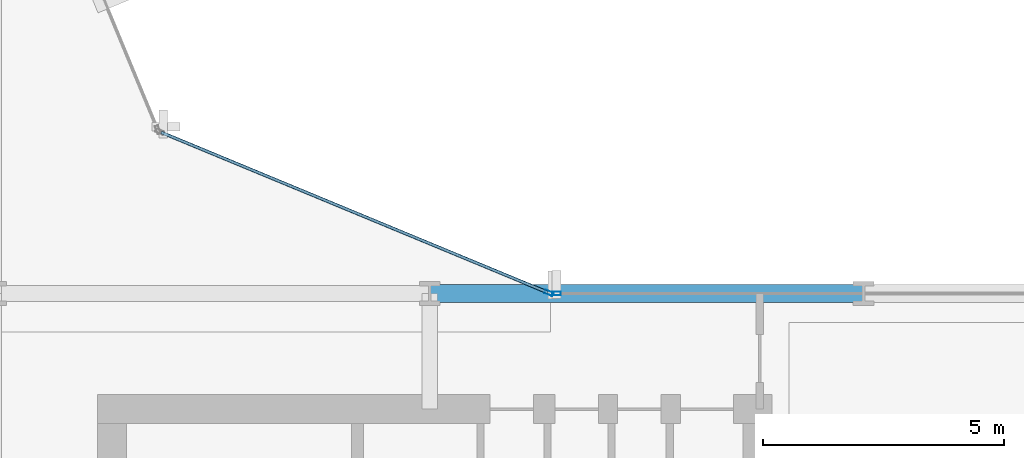
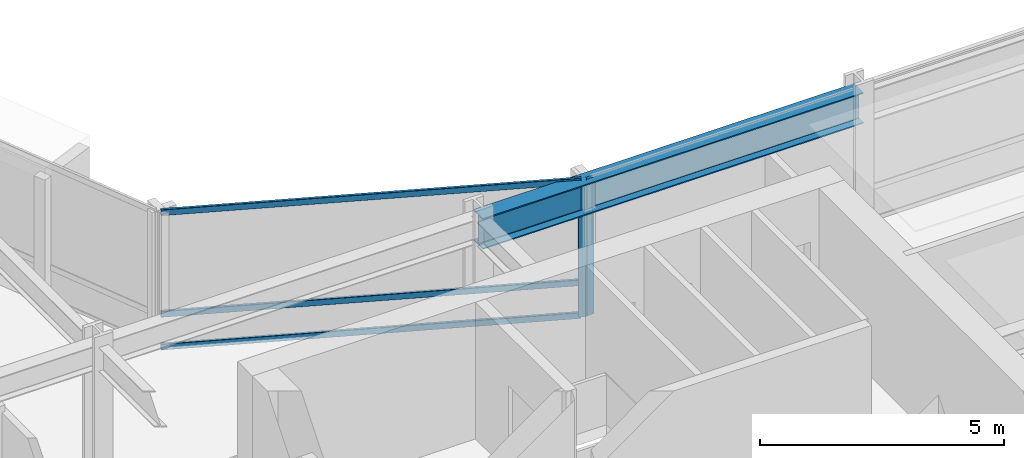
# One storey, part 15 of 34: 5 members, 1 beam, 2 elements without a shape of their own.
"""IFC4 building model written with IfcOpenShell, lengths in metres."""

from ifc_helpers import new_model, si_unit, direction, frame, origin, origin_2d, place, context, subcontext, project, spatial, hollow_rectangle, i_section, extrude, material, layer, layer_set, material_profile, profile_set, type_object, element, aggregate, save


model = new_model("IFC4")

# Units and contexts
model_context = context("Model", 3, precision=1e-05, world=origin(), true_north=direction((0.0, 1.0)))
body_context = subcontext(model_context, "Body", "Model", "MODEL_VIEW")
ifc_project = project(units=[si_unit("LENGTHUNIT", "METRE"), si_unit("AREAUNIT", "SQUARE_METRE"), si_unit("VOLUMEUNIT", "CUBIC_METRE"), si_unit("PLANEANGLEUNIT", "RADIAN"), si_unit("MASSUNIT", "GRAM", prefix="KILO")], contexts=[model_context])

# Site, building, storey
site_placement = place(None, origin())
site = spatial("IfcSite", under=ifc_project, at=site_placement, CompositionType="ELEMENT")
building_placement = place(site_placement, origin())
building = spatial("IfcBuilding", under=site, at=building_placement, Name="Solvaryn Broadcast Tower", CompositionType="ELEMENT")
storey_placement = place(building_placement, frame((0.0, 0.0, 39.699951171875)))
storey = spatial("IfcBuildingStorey", under=building, at=storey_placement, Name="L08", CompositionType="ELEMENT", Elevation=39.699951171875)

# Beam
ifc_material_1 = material(Name="Steel ASTM A992 Grade 50", Category="steel")
ifc_material_profile_1 = material_profile(ifc_material_1, i_section(OverallWidth=0.381103515625, OverallDepth=0.77294921875, WebThickness=0.0166015625, FlangeThickness=0.027099609375, FilletRadius=0.01806640625, at=origin_2d()))
ifc_profile_set_1 = profile_set([ifc_material_profile_1], Name="Steel ASTM A992 Grade 50")
beam_type = type_object("IfcBeamType", Name="BM-SP1-W30X173", PredefinedType="USERDEFINED", material=ifc_profile_set_1)
beam_placement = place(storey_placement, frame((36.0, 27.0, 3.033447265625), z_axis=(1.0, 0.0, 0.0), x_axis=(0.0, 1.0, 0.0)))
element("IfcBeam", 1, at=beam_placement, inside=storey, type_object=beam_type, Name="L08 Spandrel Beam X (36-45 @ Y=27)", ObjectType="SPANDREL", PredefinedType="USERDEFINED", context=body_context, shape_type="SweptSolid", body=[
    extrude(i_section(OverallWidth=0.381103515625, OverallDepth=0.77294921875, WebThickness=0.0166015625, FlangeThickness=0.027099609375, FilletRadius=0.01806640625, at=origin_2d()), origin(), (0.0, 0.0, 1.0), 9.0),
])

# Curtain wall, member
ifc_material_2 = material(Name="Aluminium and Terracotta Unitised Curtain Wall", Category="masonry")
ifc_layer = layer(ifc_material_2, 0.199951171875)
ifc_layer_set = layer_set([ifc_layer], Name="CW-SYS2-LOWMID")
curtain_wall_type = type_object("IfcCurtainWallType", Name="CW-SYS2-LOWMID", PredefinedType="NOTDEFINED", material=ifc_layer_set)
curtain_wall_1_placement = place(storey_placement, origin())
curtain_wall_1 = element("IfcCurtainWall", 2, at=curtain_wall_1_placement, inside=storey, type_object=curtain_wall_type, Name="L08 Curtain Wall CN1", PredefinedType="NOTDEFINED")
ifc_material_3 = material(Name="Anodised Aluminium 6063-T6", Category="aluminium")
ifc_material_profile_2 = material_profile(ifc_material_3, hollow_rectangle(XDim=0.074951171875, YDim=0.179931640625, WallThickness=0.00390625, InnerFilletRadius=0.00390625, OuterFilletRadius=0.008056640625, at=origin_2d()))
ifc_profile_set_2 = profile_set([ifc_material_profile_2], Name="Anodised Aluminium 6063-T6")
member_type_1 = type_object("IfcMemberType", Name="CW-MUL-180", PredefinedType="MULLION", material=ifc_profile_set_2)
member_1_placement = place(storey_placement, frame((38.47216796875, 27.011474609375, 0.0), z_axis=(0.0, 0.0, 1.0), x_axis=(-0.382646127145, -0.923894983957, 0.0)))
member_1 = element("IfcMember", 3, at=member_1_placement, type_object=member_type_1, Name="CWS2 mullion 1", PredefinedType="MULLION", context=body_context, shape_type="SweptSolid", body=[
    extrude(hollow_rectangle(XDim=0.074951171875, YDim=0.179931640625, WallThickness=0.00390625, InnerFilletRadius=0.00390625, OuterFilletRadius=0.008056640625, at=origin_2d()), origin(), (0.0, 0.0, 1.0), 3.420166015625),
])

curtain_wall_2_placement = place(storey_placement, origin())
curtain_wall_2 = element("IfcCurtainWall", 4, at=curtain_wall_2_placement, inside=storey, type_object=curtain_wall_type, Name="L08 Curtain Wall IH", PredefinedType="NOTDEFINED")
member_2_placement = place(storey_placement, frame((38.6298828125, 27.0, 0.0), z_axis=(0.0, 0.0, 1.0), x_axis=(0.0, 1.0, 0.0)))
member_2 = element("IfcMember", 5, at=member_2_placement, type_object=member_type_1, Name="CWS2 mullion 1", PredefinedType="MULLION", context=body_context, shape_type="SweptSolid", body=[
    extrude(hollow_rectangle(XDim=0.074951171875, YDim=0.179931640625, WallThickness=0.00390625, InnerFilletRadius=0.00390625, OuterFilletRadius=0.008056640625, at=origin_2d()), origin(), (0.0, 0.0, 1.0), 3.420166015625),
])
aggregate(curtain_wall_2, [member_2])

# Member
ifc_material_4 = material(Name="Anodised Aluminium 6063-T6", Category="aluminium")
ifc_material_profile_3 = material_profile(ifc_material_4, hollow_rectangle(XDim=0.06494140625, YDim=0.14990234375, WallThickness=0.00390625, InnerFilletRadius=0.00390625, OuterFilletRadius=0.008056640625, at=origin_2d()))
ifc_profile_set_3 = profile_set([ifc_material_profile_3], Name="Anodised Aluminium 6063-T6")
member_type_2 = type_object("IfcMemberType", Name="CW-TRN-150", PredefinedType="USERDEFINED", material=ifc_profile_set_3)
member_3_placement = place(storey_placement, frame((38.444580078125, 27.02294921875, 0.030029296875), z_axis=(-0.923899282177, 0.382635748975, 0.0), x_axis=(-0.382635748975, -0.923899282177, 0.0)))
member_3 = element("IfcMember", 6, at=member_3_placement, type_object=member_type_2, Name="CWS2 transom 1.1", ObjectType="TRANSOM", PredefinedType="USERDEFINED", context=body_context, shape_type="SweptSolid", body=[
    extrude(hollow_rectangle(XDim=0.06494140625, YDim=0.14990234375, WallThickness=0.00390625, InnerFilletRadius=0.00390625, OuterFilletRadius=0.008056640625, at=origin_2d()), origin(), (0.0, 0.0, 1.0), 8.681884765625),
])

member_4_placement = place(storey_placement, frame((38.444580078125, 27.02294921875, 0.85009765625), z_axis=(-0.923899282177, 0.382635748975, 0.0), x_axis=(-0.382635748975, -0.923899282177, 0.0)))
member_4 = element("IfcMember", 7, at=member_4_placement, type_object=member_type_2, Name="CWS2 transom 1.2", ObjectType="TRANSOM", PredefinedType="USERDEFINED", context=body_context, shape_type="SweptSolid", body=[
    extrude(hollow_rectangle(XDim=0.06494140625, YDim=0.14990234375, WallThickness=0.00390625, InnerFilletRadius=0.00390625, OuterFilletRadius=0.008056640625, at=origin_2d()), origin(), (0.0, 0.0, 1.0), 8.681884765625),
])

member_5_placement = place(storey_placement, frame((38.444580078125, 27.02294921875, 3.39013671875), z_axis=(-0.923899282177, 0.382635748975, 0.0), x_axis=(-0.382635748975, -0.923899282177, 0.0)))
member_5 = element("IfcMember", 8, at=member_5_placement, type_object=member_type_2, Name="CWS2 transom 1.3", ObjectType="TRANSOM", PredefinedType="USERDEFINED", context=body_context, shape_type="SweptSolid", body=[
    extrude(hollow_rectangle(XDim=0.06494140625, YDim=0.14990234375, WallThickness=0.00390625, InnerFilletRadius=0.00390625, OuterFilletRadius=0.008056640625, at=origin_2d()), origin(), (0.0, 0.0, 1.0), 8.681884765625),
])

aggregate(curtain_wall_1, [member_1, member_3, member_4, member_5])

save(model, "model.ifc")
